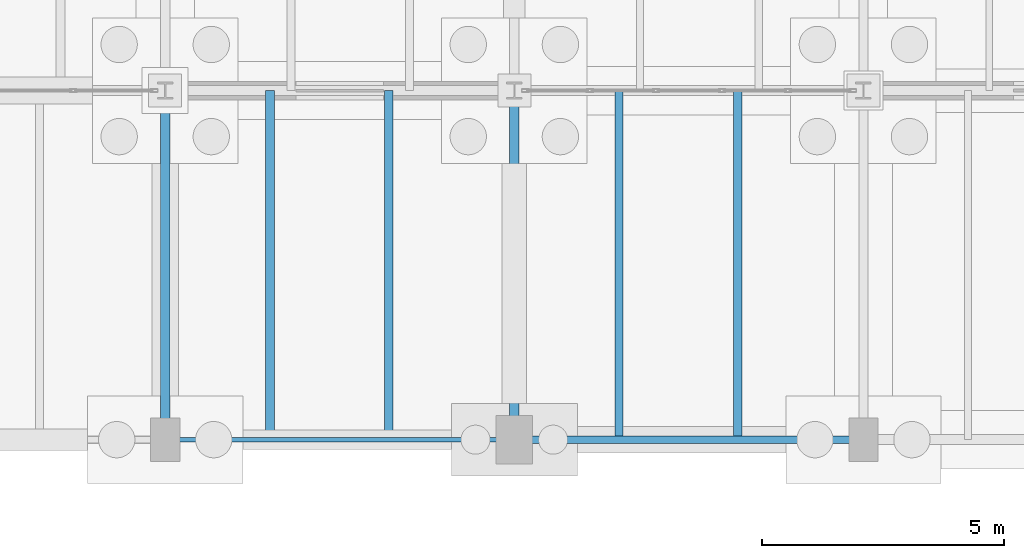
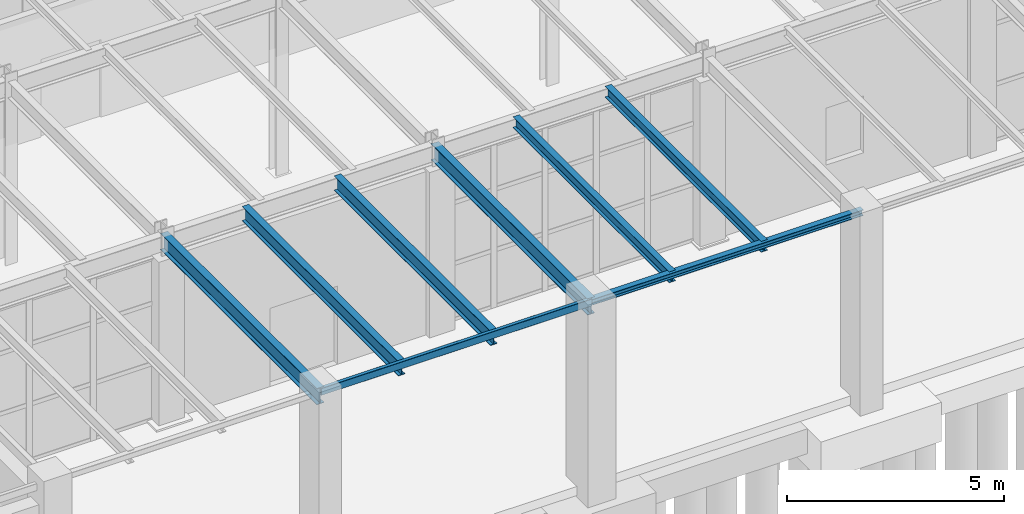
# One storey, part 71 of 293: 8 beams.
"""IFC4 building model written with IfcOpenShell, lengths in metres."""

import ifcopenshell
import ifcopenshell.guid

model = None  # the IFC model being written
_history = None  # IfcOwnerHistory: only IFC2X3 demands one
_inside = {}  # id of a spatial element -> (the spatial element, [elements in it])
_under = {}  # id of a project, library or spatial element -> (it, [spatial elements below it])
_declared = {}  # id of a project -> (the project, [libraries it declares])
_typed = {}  # id of a type object -> (the type object, [elements of that type])
_made_of = {}  # id of a material, layer set ... -> (it, [elements and type objects made of it])


def new_model(schema):
    """Start an empty IFC model of exactly this schema.

    Asked for "IFC4X3", IfcOpenShell would pick the latest addendum, in which some entities
    have other attributes; the version numbers below select the first issue.
    IFC2X3 requires an IfcOwnerHistory on every rooted entity: one is made here for all.
    """
    global model, _history
    if schema == "IFC4X3":
        model = ifcopenshell.file(schema_version=(4, 3, 0, 0))
    else:
        model = ifcopenshell.file(schema=schema)
    _inside.clear()
    _under.clear()
    _declared.clear()
    _typed.clear()
    _made_of.clear()
    _history = None
    if model.schema == "IFC2X3":
        org = make("IfcOrganization", Name="unknown")
        user = make(
            "IfcPersonAndOrganization",
            ThePerson=make("IfcPerson", FamilyName="unknown"),
            TheOrganization=org,
        )
        app = make(
            "IfcApplication",
            ApplicationDeveloper=org,
            Version="unknown",
            ApplicationFullName="unknown",
            ApplicationIdentifier="unknown",
        )
        _history = make(
            "IfcOwnerHistory",
            OwningUser=user,
            OwningApplication=app,
            ChangeAction="ADDED",
            CreationDate=0,
        )
    return model


def make(cls, **values):
    """One entity of the class cls with the attributes given. An attribute that is None is left unset."""
    return model.create_entity(
        cls, **{name: value for name, value in values.items() if value is not None}
    )


def rooted(cls, **values):
    """An entity with a GlobalId (a new one), such as an element, a storey or a relation."""
    return make(cls, GlobalId=ifcopenshell.guid.new(), OwnerHistory=_history, **values)


def si_unit(unit_type, name, prefix=None):
    """IfcSIUnit, for example si_unit("LENGTHUNIT", "METRE", prefix="MILLI")."""
    return make("IfcSIUnit", UnitType=unit_type, Prefix=prefix, Name=name)


def assignment(units):
    """IfcUnitAssignment: the units of a project."""
    return None if units is None else make("IfcUnitAssignment", Units=units)


def point(xyz):
    """IfcCartesianPoint."""
    return None if xyz is None else make("IfcCartesianPoint", Coordinates=xyz)


def direction(xyz):
    """IfcDirection."""
    return None if xyz is None else make("IfcDirection", DirectionRatios=xyz)


def frame(location, z_axis=None, x_axis=None):
    """IfcAxis2Placement3D, a coordinate frame: its origin and axes. An axis left out is left unset."""
    return make(
        "IfcAxis2Placement3D",
        Location=point(location),
        Axis=direction(z_axis),
        RefDirection=direction(x_axis),
    )


def frame_2d(location, x_axis=None):
    """IfcAxis2Placement2D, a coordinate frame in the plane: its origin and x axis."""
    return make(
        "IfcAxis2Placement2D", Location=point(location), RefDirection=direction(x_axis)
    )


def origin():
    """The frame at (0, 0, 0) with its axes left unset."""
    return frame((0.0, 0.0, 0.0))


def origin_2d():
    """The frame at (0, 0) in the plane with its x axis left unset."""
    return frame_2d((0.0, 0.0))


def place(relative_to, where):
    """IfcLocalPlacement: puts the frame where relative to a parent placement (None: the world)."""
    return make(
        "IfcLocalPlacement", PlacementRelTo=relative_to, RelativePlacement=where
    )


def context(
    kind, dimensions, precision=None, world=None, true_north=None, identifier=None
):
    """IfcGeometricRepresentationContext, for example the 3D "Model" context."""
    return make(
        "IfcGeometricRepresentationContext",
        ContextIdentifier=identifier,
        ContextType=kind,
        CoordinateSpaceDimension=dimensions,
        Precision=precision,
        WorldCoordinateSystem=world,
        TrueNorth=true_north,
    )


def subcontext(parent, identifier, kind, view, scale=None):
    """IfcGeometricRepresentationSubContext, for example "Body" below "Model"."""
    return make(
        "IfcGeometricRepresentationSubContext",
        ContextIdentifier=identifier,
        ContextType=kind,
        ParentContext=parent,
        TargetScale=scale,
        TargetView=view,
    )


def project(units=None, contexts=None):
    """IfcProject with its units and contexts."""
    return rooted(
        "IfcProject",
        Name="project",
        RepresentationContexts=contexts,
        UnitsInContext=assignment(units),
    )


def spatial(cls, under=None, at=None, **own):
    """A site, building, storey or space (cls), placed at a placement, below another one or the project."""
    s = rooted(cls, ObjectPlacement=at, **own)
    if under is not None:
        _under.setdefault(under.id(), (under, []))[1].append(s)
    return s


def profile(cls, at=None, kind="AREA", **sizes):
    """A parametric profile (cls). Its sizes go by their IFC names, for example OverallWidth=200.0."""
    return make(cls, ProfileType=kind, Position=at, **sizes)


def hollow_rectangle(**sizes):
    """IfcRectangleHollowProfileDef."""
    return profile("IfcRectangleHollowProfileDef", **sizes)


def i_section(**sizes):
    """IfcIShapeProfileDef."""
    return profile("IfcIShapeProfileDef", **sizes)


def extrude(swept, where, along, depth):
    """IfcExtrudedAreaSolid: the profile swept, set in the frame where, extruded along a direction by depth."""
    return make(
        "IfcExtrudedAreaSolid",
        SweptArea=swept,
        Position=where,
        ExtrudedDirection=direction(along),
        Depth=depth,
    )


def shape(context_of_items, identifier, shape_type, items):
    """IfcShapeRepresentation: the items that make up one representation, for example the "Body"."""
    return make(
        "IfcShapeRepresentation",
        ContextOfItems=context_of_items,
        RepresentationIdentifier=identifier,
        RepresentationType=shape_type,
        Items=items,
    )


def material(Name=None, Category=None):
    """IfcMaterial."""
    return make("IfcMaterial", Name=Name, Category=Category)


def material_profile(
    of_material, cross_section, Name=None, Category=None, Priority=None
):
    """IfcMaterialProfile: a cross section and its material."""
    return make(
        "IfcMaterialProfile",
        Name=Name,
        Material=of_material,
        Profile=cross_section,
        Priority=Priority,
        Category=Category,
    )


def profile_set(profiles, Name=None, composite=None):
    """IfcMaterialProfileSet."""
    return make(
        "IfcMaterialProfileSet",
        Name=Name,
        MaterialProfiles=profiles,
        CompositeProfile=composite,
    )


def made_of(thing, what):
    """Note that an element or type object is made of a material, layer set ...; save() writes the relation."""
    if what is not None:
        _made_of.setdefault(what.id(), (what, []))[1].append(thing)
    return thing


def type_object(cls, material=None, **own):
    """A type object (cls), such as IfcWallType, which elements share."""
    return made_of(rooted(cls, **own), material)


def element(
    cls,
    number,
    at=None,
    inside=None,
    cuts=None,
    type_object=None,
    material=None,
    context=None,
    identifier="Body",
    shape_type=None,
    held_by="IfcProductDefinitionShape",
    body=None,
    shapes=None,
    **own,
):
    """One element of the class cls, such as IfcWall. Its Tag is "e" and its number.

    at: its placement. inside: the storey or other place that contains it. cuts: it is an
    opening in that element (IfcRelVoidsElement). A single representation is given by context,
    identifier, shape_type and body (its items); several are given by shapes. held_by: the class
    of the entity that holds the representations. save() writes the other relations.
    """
    e = rooted(cls, Tag="e%d" % number, ObjectPlacement=at, **own)
    if body is not None:
        shapes = [shape(context, identifier, shape_type, body)]
    if shapes is not None:
        e.Representation = make(held_by, Representations=shapes)
    if inside is not None:
        _inside.setdefault(inside.id(), (inside, []))[1].append(e)
    if cuts is not None:
        rooted(
            "IfcRelVoidsElement", RelatingBuildingElement=cuts, RelatedOpeningElement=e
        )
    if type_object is not None:
        _typed.setdefault(type_object.id(), (type_object, []))[1].append(e)
    return made_of(e, material)


def aggregate(whole, parts):
    """IfcRelAggregates: a whole, such as a stair, and the parts it consists of."""
    return rooted("IfcRelAggregates", RelatingObject=whole, RelatedObjects=parts)


def save(model, path):
    """Write the relations noted so far, then the file.

    IfcRelAggregates (storeys below a building ...), IfcRelContainedInSpatialStructure (elements
    in a storey), IfcRelDefinesByType, IfcRelAssociatesMaterial and IfcRelDeclares: one each for
    every whole, place, type object, material and project.
    """
    for whole, parts in _under.values():
        aggregate(whole, parts)
    for where, things in _inside.values():
        rooted(
            "IfcRelContainedInSpatialStructure",
            RelatedElements=things,
            RelatingStructure=where,
        )
    for kind, things in _typed.values():
        rooted("IfcRelDefinesByType", RelatedObjects=things, RelatingType=kind)
    for what, things in _made_of.values():
        rooted("IfcRelAssociatesMaterial", RelatedObjects=things, RelatingMaterial=what)
    for by, libraries in _declared.values():
        rooted("IfcRelDeclares", RelatingContext=by, RelatedDefinitions=libraries)
    model.write(path)


model = new_model("IFC4")

# Units and contexts
model_context = context("Model", 3, precision=1e-05, world=origin(), true_north=direction((0.0, 1.0)))
body_context = subcontext(model_context, "Body", "Model", "MODEL_VIEW")
ifc_project = project(units=[si_unit("LENGTHUNIT", "METRE"), si_unit("AREAUNIT", "SQUARE_METRE"), si_unit("VOLUMEUNIT", "CUBIC_METRE"), si_unit("PLANEANGLEUNIT", "RADIAN"), si_unit("MASSUNIT", "GRAM", prefix="KILO")], contexts=[model_context])

# Site, building, storey
site_placement = place(None, origin())
site = spatial("IfcSite", under=ifc_project, at=site_placement, CompositionType="ELEMENT")
building_placement = place(site_placement, origin())
building = spatial("IfcBuilding", under=site, at=building_placement, Name="Kemerveld Promenade Tramway Depot", CompositionType="ELEMENT")
storey_placement = place(building_placement, origin())
storey = spatial("IfcBuildingStorey", under=building, at=storey_placement, Name="L00", CompositionType="ELEMENT", Elevation=0.0)

# Beams
ifc_material = material(Name="Steel S355", Category="steel")
ifc_material_profile_1 = material_profile(ifc_material, i_section(OverallWidth=0.19140625, OverallDepth=0.4599609375, WebThickness=0.010009765625, FlangeThickness=0.01611328125, FilletRadius=0.01025390625, at=origin_2d()), Name="457x191x82 UB")
ifc_profile_set_1 = profile_set([ifc_material_profile_1], Name="Steel S355")
beam_type_1 = type_object("IfcBeamType", Name="BM-G06", PredefinedType="BEAM", material=ifc_profile_set_1)
for number, where, z_axis, x_axis, name in (
    (1, (64.800048828125, 0.0, 4.945068359375), (0.0, 1.0, 0.0), (-1.0, 0.0, 0.0), "BMY-L00-10-A-B"),
    (2, (72.0, 0.0, 4.945068359375), (0.0, 1.0, 0.0), (-1.0, 0.0, 0.0), "BMY-L00-11-A-B"),
):
    element("IfcBeam", number, at=place(storey_placement, frame(where, z_axis=z_axis, x_axis=x_axis)), inside=storey, type_object=beam_type_1, Name=name, PredefinedType="BEAM", context=body_context, shape_type="SweptSolid", body=[
        extrude(i_section(OverallWidth=0.19140625, OverallDepth=0.4599609375, WebThickness=0.010009765625, FlangeThickness=0.01611328125, FilletRadius=0.01025390625, at=origin_2d()), origin(), (0.0, 0.0, 1.0), 7.199951171875),
    ])
ifc_material_profile_2 = material_profile(ifc_material, i_section(OverallWidth=0.165771484375, OverallDepth=0.306640625, WebThickness=0.006591796875, FlangeThickness=0.01171875, FilletRadius=0.0087890625, at=origin_2d()), Name="305x165x46 UB")
ifc_profile_set_2 = profile_set([ifc_material_profile_2], Name="Steel S355")
beam_type_2 = type_object("IfcBeamType", Name="BM-J01", PredefinedType="JOIST", material=ifc_profile_set_2)
for number, where, z_axis, x_axis, name in (
    (3, (74.159912109375, 0.0, 5.021728515625), (0.0, 1.0, 0.0), (-1.0, 0.0, 0.0), "JST-L00-11-A-1"),
    (4, (76.60791015625, 0.0, 5.021728515625), (0.0, 1.0, 0.0), (-1.0, 0.0, 0.0), "JST-L00-11-A-2"),
):
    element("IfcBeam", number, at=place(storey_placement, frame(where, z_axis=z_axis, x_axis=x_axis)), inside=storey, type_object=beam_type_2, Name=name, PredefinedType="JOIST", context=body_context, shape_type="SweptSolid", body=[
        extrude(i_section(OverallWidth=0.165771484375, OverallDepth=0.306640625, WebThickness=0.006591796875, FlangeThickness=0.01171875, FilletRadius=0.0087890625, at=origin_2d()), origin(), (0.0, 0.0, 1.0), 7.199951171875),
    ])
ifc_material_profile_3 = material_profile(ifc_material, i_section(OverallWidth=0.1787109375, OverallDepth=0.409423828125, WebThickness=0.0087890625, FlangeThickness=0.014404296875, FilletRadius=0.01025390625, at=origin_2d()), Name="406x178x67 UB")
ifc_profile_set_3 = profile_set([ifc_material_profile_3], Name="Steel S355")
beam_type_3 = type_object("IfcBeamType", Name="BM-J05", PredefinedType="JOIST", material=ifc_profile_set_3)
for number, where, z_axis, x_axis, name in (
    (5, (66.9599609375, 0.0, 4.97021484375), (0.0, 1.0, 0.0), (-1.0, 0.0, 0.0), "JST-L00-10-A-1"),
    (6, (69.407958984375, 0.0, 4.97021484375), (0.0, 1.0, 0.0), (-1.0, 0.0, 0.0), "JST-L00-10-A-2"),
):
    element("IfcBeam", number, at=place(storey_placement, frame(where, z_axis=z_axis, x_axis=x_axis)), inside=storey, type_object=beam_type_3, Name=name, PredefinedType="JOIST", context=body_context, shape_type="SweptSolid", body=[
        extrude(i_section(OverallWidth=0.1787109375, OverallDepth=0.409423828125, WebThickness=0.0087890625, FlangeThickness=0.014404296875, FilletRadius=0.01025390625, at=origin_2d()), origin(), (0.0, 0.0, 1.0), 7.199951171875),
    ])
ifc_material_profile_4 = material_profile(ifc_material, hollow_rectangle(XDim=0.10009765625, YDim=0.199951171875, WallThickness=0.008056640625, InnerFilletRadius=0.00390625, OuterFilletRadius=0.011962890625, at=origin_2d()), Name="200x100x8.0 RHS")
ifc_profile_set_4 = profile_set([ifc_material_profile_4], Name="Steel S355")
beam_type_4 = type_object("IfcBeamType", Name="BM-LN1", PredefinedType="LINTEL", material=ifc_profile_set_4)
beam_1_placement = place(storey_placement, frame((64.800048828125, 0.0, 5.074951171875), z_axis=(1.0, 0.0, 0.0), x_axis=(0.0, 1.0, 0.0)))
element("IfcBeam", 7, at=beam_1_placement, inside=storey, type_object=beam_type_4, Name="BMX-L00-10-11-A", PredefinedType="LINTEL", context=body_context, shape_type="SweptSolid", body=[
    extrude(hollow_rectangle(XDim=0.10009765625, YDim=0.199951171875, WallThickness=0.008056640625, InnerFilletRadius=0.00390625, OuterFilletRadius=0.011962890625, at=origin_2d()), origin(), (0.0, 0.0, 1.0), 7.199951171875),
])
ifc_material_profile_5 = material_profile(ifc_material, i_section(OverallWidth=0.154296875, OverallDepth=0.161865234375, WebThickness=0.008056640625, FlangeThickness=0.011474609375, FilletRadius=0.007568359375, at=origin_2d()), Name="152x152x37 UC")
ifc_profile_set_5 = profile_set([ifc_material_profile_5], Name="Steel S355")
beam_type_5 = type_object("IfcBeamType", Name="BM-LN2", PredefinedType="LINTEL", material=ifc_profile_set_5)
beam_2_placement = place(storey_placement, frame((72.0, 0.0, 5.093994140625), z_axis=(1.0, 0.0, 0.0), x_axis=(0.0, 1.0, 0.0)))
element("IfcBeam", 8, at=beam_2_placement, inside=storey, type_object=beam_type_5, Name="BMX-L00-11-12-A", PredefinedType="LINTEL", context=body_context, shape_type="SweptSolid", body=[
    extrude(i_section(OverallWidth=0.154296875, OverallDepth=0.161865234375, WebThickness=0.008056640625, FlangeThickness=0.011474609375, FilletRadius=0.007568359375, at=origin_2d()), origin(), (0.0, 0.0, 1.0), 7.199951171875),
])

save(model, "model.ifc")
